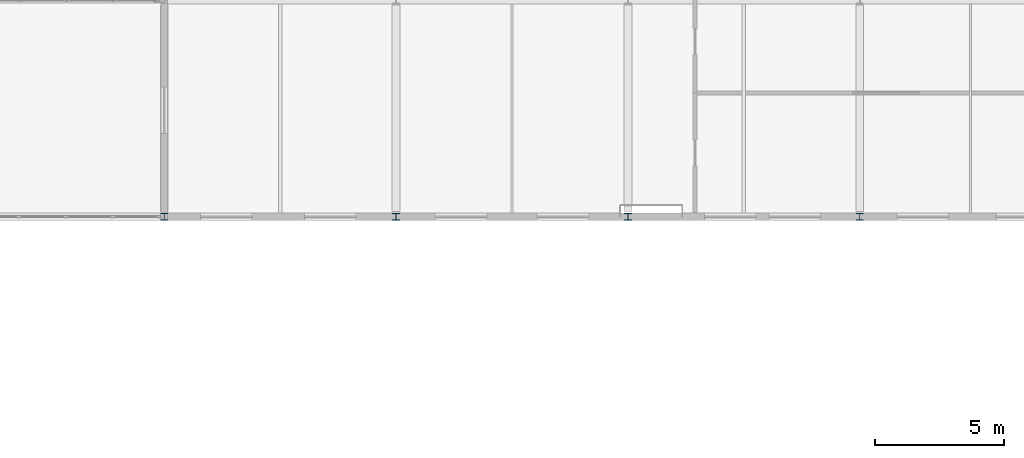
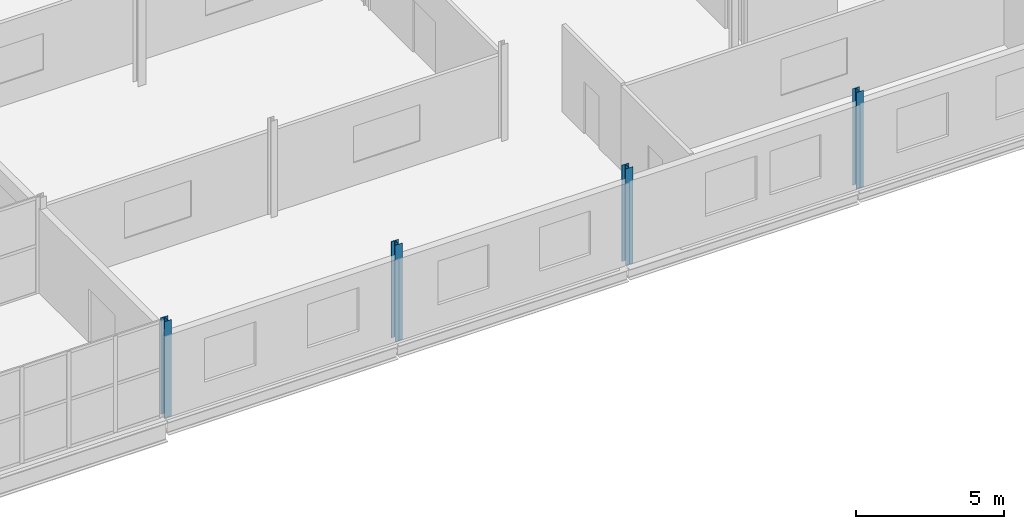
# One storey, part 18 of 138: 4 columns.
"""IFC4 building model written with IfcOpenShell, lengths in metres."""

from ifc_helpers import new_model, si_unit, direction, frame, origin, origin_2d, place, context, subcontext, project, spatial, i_section, extrude, material, material_profile, profile_set, type_object, element, save


model = new_model("IFC4")

# Units and contexts
model_context = context("Model", 3, precision=1e-05, world=origin(), true_north=direction((0.0, 1.0)))
body_context = subcontext(model_context, "Body", "Model", "MODEL_VIEW")
ifc_project = project(units=[si_unit("LENGTHUNIT", "METRE"), si_unit("AREAUNIT", "SQUARE_METRE"), si_unit("VOLUMEUNIT", "CUBIC_METRE"), si_unit("PLANEANGLEUNIT", "RADIAN"), si_unit("MASSUNIT", "GRAM", prefix="KILO")], contexts=[model_context])

# Site, building, storey
site_placement = place(None, origin())
site = spatial("IfcSite", under=ifc_project, at=site_placement, CompositionType="ELEMENT")
building_placement = place(site_placement, origin())
building = spatial("IfcBuilding", under=site, at=building_placement, Name="Vinh Khe Railworks Police Headquarters", CompositionType="ELEMENT")
storey_placement = place(building_placement, frame((0.0, 0.0, 9.0)))
storey = spatial("IfcBuildingStorey", under=building, at=storey_placement, Name="L02", CompositionType="ELEMENT", Elevation=9.0)

# Columns
ifc_material = material(Name="Steel S355JR", Category="steel")
ifc_material_profile = material_profile(ifc_material, i_section(OverallWidth=0.280029296875, OverallDepth=0.27001953125, WebThickness=0.008056640625, FlangeThickness=0.012939453125, FilletRadius=0.02392578125, at=origin_2d()), Name="HEA 280")
ifc_profile_set = profile_set([ifc_material_profile], Name="Steel S355JR")
column_type = type_object("IfcColumnType", Name="Steel Column HEA 280", PredefinedType="COLUMN", material=ifc_profile_set)
for number, where, z_axis, x_axis, name in (
    (1, (78.0, 96.0, 0.0), (0.0, 0.0, 1.0), (1.0, 0.0, 0.0), "Column COL-L02-SC-19-1154"),
    (2, (87.0, 96.0, 0.0), (0.0, 0.0, 1.0), (1.0, 0.0, 0.0), "Column COL-L02-SC-19-1215"),
    (3, (96.0, 96.0, 0.0), (0.0, 0.0, 1.0), (1.0, 0.0, 0.0), "Column COL-L02-SC-19-1276"),
    (4, (105.0, 96.0, 0.0), (0.0, 0.0, 1.0), (1.0, 0.0, 0.0), "Column COL-L02-SC-19-1337"),
):
    element("IfcColumn", number, at=place(storey_placement, frame(where, z_axis=z_axis, x_axis=x_axis)), inside=storey, type_object=column_type, Name=name, PredefinedType="COLUMN", context=body_context, shape_type="SweptSolid", body=[
        extrude(i_section(OverallWidth=0.280029296875, OverallDepth=0.27001953125, WebThickness=0.008056640625, FlangeThickness=0.012939453125, FilletRadius=0.02392578125, at=origin_2d()), origin(), (0.0, 0.0, 1.0), 3.97998046875),
    ])

save(model, "model.ifc")
